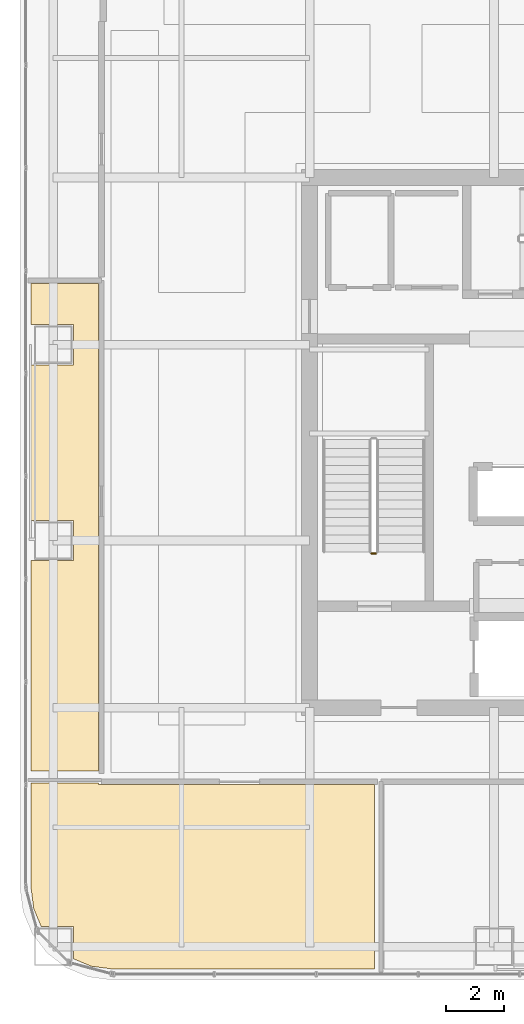
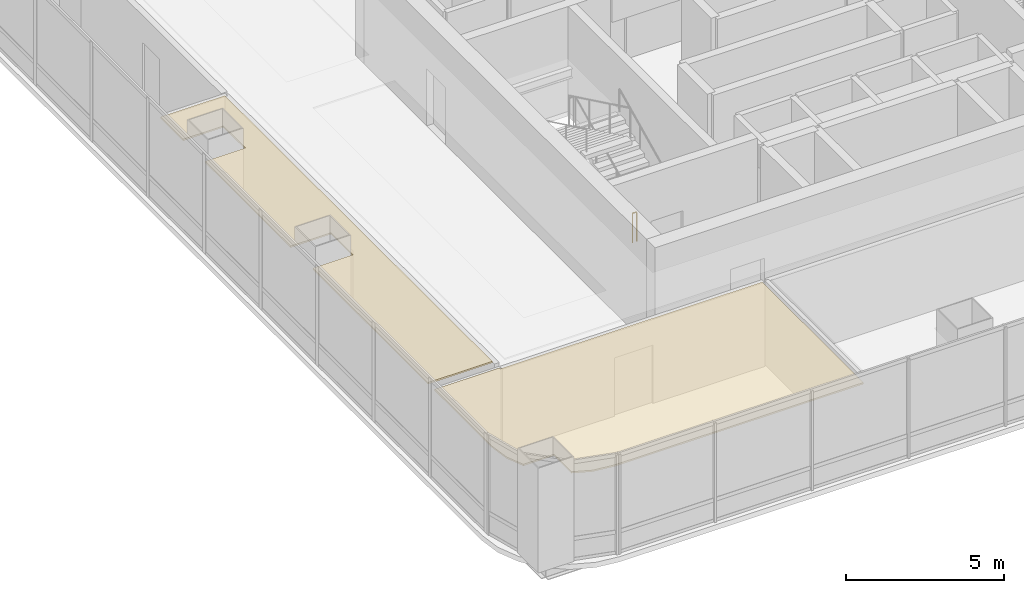
# One storey, part 37 of 42: 2 coverings, 1 railing.
"""IFC4 building model written with IfcOpenShell, lengths in metres."""

import ifcopenshell
import ifcopenshell.guid

model = None  # the IFC model being written
_history = None  # IfcOwnerHistory: only IFC2X3 demands one
_inside = {}  # id of a spatial element -> (the spatial element, [elements in it])
_under = {}  # id of a project, library or spatial element -> (it, [spatial elements below it])
_declared = {}  # id of a project -> (the project, [libraries it declares])
_typed = {}  # id of a type object -> (the type object, [elements of that type])
_made_of = {}  # id of a material, layer set ... -> (it, [elements and type objects made of it])


def new_model(schema):
    """Start an empty IFC model of exactly this schema.

    Asked for "IFC4X3", IfcOpenShell would pick the latest addendum, in which some entities
    have other attributes; the version numbers below select the first issue.
    IFC2X3 requires an IfcOwnerHistory on every rooted entity: one is made here for all.
    """
    global model, _history
    if schema == "IFC4X3":
        model = ifcopenshell.file(schema_version=(4, 3, 0, 0))
    else:
        model = ifcopenshell.file(schema=schema)
    _inside.clear()
    _under.clear()
    _declared.clear()
    _typed.clear()
    _made_of.clear()
    _history = None
    if model.schema == "IFC2X3":
        org = make("IfcOrganization", Name="unknown")
        user = make(
            "IfcPersonAndOrganization",
            ThePerson=make("IfcPerson", FamilyName="unknown"),
            TheOrganization=org,
        )
        app = make(
            "IfcApplication",
            ApplicationDeveloper=org,
            Version="unknown",
            ApplicationFullName="unknown",
            ApplicationIdentifier="unknown",
        )
        _history = make(
            "IfcOwnerHistory",
            OwningUser=user,
            OwningApplication=app,
            ChangeAction="ADDED",
            CreationDate=0,
        )
    return model


def make(cls, **values):
    """One entity of the class cls with the attributes given. An attribute that is None is left unset."""
    return model.create_entity(
        cls, **{name: value for name, value in values.items() if value is not None}
    )


def rooted(cls, **values):
    """An entity with a GlobalId (a new one), such as an element, a storey or a relation."""
    return make(cls, GlobalId=ifcopenshell.guid.new(), OwnerHistory=_history, **values)


def si_unit(unit_type, name, prefix=None):
    """IfcSIUnit, for example si_unit("LENGTHUNIT", "METRE", prefix="MILLI")."""
    return make("IfcSIUnit", UnitType=unit_type, Prefix=prefix, Name=name)


def assignment(units):
    """IfcUnitAssignment: the units of a project."""
    return None if units is None else make("IfcUnitAssignment", Units=units)


def point(xyz):
    """IfcCartesianPoint."""
    return None if xyz is None else make("IfcCartesianPoint", Coordinates=xyz)


def direction(xyz):
    """IfcDirection."""
    return None if xyz is None else make("IfcDirection", DirectionRatios=xyz)


def frame(location, z_axis=None, x_axis=None):
    """IfcAxis2Placement3D, a coordinate frame: its origin and axes. An axis left out is left unset."""
    return make(
        "IfcAxis2Placement3D",
        Location=point(location),
        Axis=direction(z_axis),
        RefDirection=direction(x_axis),
    )


def frame_2d(location, x_axis=None):
    """IfcAxis2Placement2D, a coordinate frame in the plane: its origin and x axis."""
    return make(
        "IfcAxis2Placement2D", Location=point(location), RefDirection=direction(x_axis)
    )


def origin():
    """The frame at (0, 0, 0) with its axes left unset."""
    return frame((0.0, 0.0, 0.0))


def origin_2d():
    """The frame at (0, 0) in the plane with its x axis left unset."""
    return frame_2d((0.0, 0.0))


def place(relative_to, where):
    """IfcLocalPlacement: puts the frame where relative to a parent placement (None: the world)."""
    return make(
        "IfcLocalPlacement", PlacementRelTo=relative_to, RelativePlacement=where
    )


def context(
    kind, dimensions, precision=None, world=None, true_north=None, identifier=None
):
    """IfcGeometricRepresentationContext, for example the 3D "Model" context."""
    return make(
        "IfcGeometricRepresentationContext",
        ContextIdentifier=identifier,
        ContextType=kind,
        CoordinateSpaceDimension=dimensions,
        Precision=precision,
        WorldCoordinateSystem=world,
        TrueNorth=true_north,
    )


def subcontext(parent, identifier, kind, view, scale=None):
    """IfcGeometricRepresentationSubContext, for example "Body" below "Model"."""
    return make(
        "IfcGeometricRepresentationSubContext",
        ContextIdentifier=identifier,
        ContextType=kind,
        ParentContext=parent,
        TargetScale=scale,
        TargetView=view,
    )


def project(units=None, contexts=None):
    """IfcProject with its units and contexts."""
    return rooted(
        "IfcProject",
        Name="project",
        RepresentationContexts=contexts,
        UnitsInContext=assignment(units),
    )


def spatial(cls, under=None, at=None, **own):
    """A site, building, storey or space (cls), placed at a placement, below another one or the project."""
    s = rooted(cls, ObjectPlacement=at, **own)
    if under is not None:
        _under.setdefault(under.id(), (under, []))[1].append(s)
    return s


def polyline(points):
    """IfcPolyline through the points."""
    return make("IfcPolyline", Points=[point(p) for p in points])


def profile(cls, at=None, kind="AREA", **sizes):
    """A parametric profile (cls). Its sizes go by their IFC names, for example OverallWidth=200.0."""
    return make(cls, ProfileType=kind, Position=at, **sizes)


def circle(**sizes):
    """IfcCircleProfileDef."""
    return profile("IfcCircleProfileDef", **sizes)


def outline(outer, holes=None, kind="AREA"):
    """IfcArbitraryClosedProfileDef: a profile drawn as a closed curve; with holes, ...WithVoids."""
    if holes is None:
        return make("IfcArbitraryClosedProfileDef", ProfileType=kind, OuterCurve=outer)
    return make(
        "IfcArbitraryProfileDefWithVoids",
        ProfileType=kind,
        OuterCurve=outer,
        InnerCurves=holes,
    )


def extrude(swept, where, along, depth):
    """IfcExtrudedAreaSolid: the profile swept, set in the frame where, extruded along a direction by depth."""
    return make(
        "IfcExtrudedAreaSolid",
        SweptArea=swept,
        Position=where,
        ExtrudedDirection=direction(along),
        Depth=depth,
    )


def shape(context_of_items, identifier, shape_type, items):
    """IfcShapeRepresentation: the items that make up one representation, for example the "Body"."""
    return make(
        "IfcShapeRepresentation",
        ContextOfItems=context_of_items,
        RepresentationIdentifier=identifier,
        RepresentationType=shape_type,
        Items=items,
    )


def material(Name=None, Category=None):
    """IfcMaterial."""
    return make("IfcMaterial", Name=Name, Category=Category)


def layer(
    of_material, thickness, ventilated=None, Name=None, Category=None, Priority=None
):
    """IfcMaterialLayer: one layer of a wall or slab, of a material (None: an air gap)."""
    return make(
        "IfcMaterialLayer",
        Material=of_material,
        LayerThickness=thickness,
        IsVentilated=ventilated,
        Name=Name,
        Category=Category,
        Priority=Priority,
    )


def layer_set(layers, Name=None):
    """IfcMaterialLayerSet."""
    return make("IfcMaterialLayerSet", MaterialLayers=layers, LayerSetName=Name)


def made_of(thing, what):
    """Note that an element or type object is made of a material, layer set ...; save() writes the relation."""
    if what is not None:
        _made_of.setdefault(what.id(), (what, []))[1].append(thing)
    return thing


def type_object(cls, material=None, **own):
    """A type object (cls), such as IfcWallType, which elements share."""
    return made_of(rooted(cls, **own), material)


def element(
    cls,
    number,
    at=None,
    inside=None,
    cuts=None,
    type_object=None,
    material=None,
    context=None,
    identifier="Body",
    shape_type=None,
    held_by="IfcProductDefinitionShape",
    body=None,
    shapes=None,
    **own,
):
    """One element of the class cls, such as IfcWall. Its Tag is "e" and its number.

    at: its placement. inside: the storey or other place that contains it. cuts: it is an
    opening in that element (IfcRelVoidsElement). A single representation is given by context,
    identifier, shape_type and body (its items); several are given by shapes. held_by: the class
    of the entity that holds the representations. save() writes the other relations.
    """
    e = rooted(cls, Tag="e%d" % number, ObjectPlacement=at, **own)
    if body is not None:
        shapes = [shape(context, identifier, shape_type, body)]
    if shapes is not None:
        e.Representation = make(held_by, Representations=shapes)
    if inside is not None:
        _inside.setdefault(inside.id(), (inside, []))[1].append(e)
    if cuts is not None:
        rooted(
            "IfcRelVoidsElement", RelatingBuildingElement=cuts, RelatedOpeningElement=e
        )
    if type_object is not None:
        _typed.setdefault(type_object.id(), (type_object, []))[1].append(e)
    return made_of(e, material)


def aggregate(whole, parts):
    """IfcRelAggregates: a whole, such as a stair, and the parts it consists of."""
    return rooted("IfcRelAggregates", RelatingObject=whole, RelatedObjects=parts)


def save(model, path):
    """Write the relations noted so far, then the file.

    IfcRelAggregates (storeys below a building ...), IfcRelContainedInSpatialStructure (elements
    in a storey), IfcRelDefinesByType, IfcRelAssociatesMaterial and IfcRelDeclares: one each for
    every whole, place, type object, material and project.
    """
    for whole, parts in _under.values():
        aggregate(whole, parts)
    for where, things in _inside.values():
        rooted(
            "IfcRelContainedInSpatialStructure",
            RelatedElements=things,
            RelatingStructure=where,
        )
    for kind, things in _typed.values():
        rooted("IfcRelDefinesByType", RelatedObjects=things, RelatingType=kind)
    for what, things in _made_of.values():
        rooted("IfcRelAssociatesMaterial", RelatedObjects=things, RelatingMaterial=what)
    for by, libraries in _declared.values():
        rooted("IfcRelDeclares", RelatingContext=by, RelatedDefinitions=libraries)
    model.write(path)


model = new_model("IFC4")

# Units and contexts
model_context = context("Model", 3, precision=1e-05, world=origin(), true_north=direction((0.0, 1.0)))
body_context = subcontext(model_context, "Body", "Model", "MODEL_VIEW")
ifc_project = project(units=[si_unit("LENGTHUNIT", "METRE"), si_unit("AREAUNIT", "SQUARE_METRE"), si_unit("VOLUMEUNIT", "CUBIC_METRE"), si_unit("PLANEANGLEUNIT", "RADIAN"), si_unit("MASSUNIT", "GRAM", prefix="KILO")], contexts=[model_context])

# Site, building, storey
site_placement = place(None, origin())
site = spatial("IfcSite", under=ifc_project, at=site_placement, CompositionType="ELEMENT")
building_placement = place(site_placement, origin())
building = spatial("IfcBuilding", under=site, at=building_placement, Name="Punatoya Terracotta Tower", CompositionType="ELEMENT")
storey_placement = place(building_placement, frame((0.0, 0.0, 255.449951171875)))
storey = spatial("IfcBuildingStorey", under=building, at=storey_placement, Name="L60", CompositionType="ELEMENT", Elevation=255.449951171875)

# Coverings
ifc_material_1 = material(Name="Acoustic Mineral Fibre Ceiling")
ifc_layer = layer(ifc_material_1, 0.06005859375)
ifc_layer_set = layer_set([ifc_layer], Name="Acoustic Mineral Fibre Ceiling")
covering_type = type_object("IfcCoveringType", Name="COV-CEIL-60", PredefinedType="CEILING", material=ifc_layer_set)
covering_1_placement = place(storey_placement, frame((0.0, 0.0, 3.239990234375)))
element("IfcCovering", 1, at=covering_1_placement, inside=storey, type_object=covering_type, Name="L60 Open-Plan Media Broadcast Studio Acoustic Ceiling", PredefinedType="CEILING", context=body_context, shape_type="SweptSolid", body=[
    extrude(outline(polyline([(-17.52001953125, -11.8701171875), (-17.52001953125, -11.81005859375), (-19.8701171875, -11.81005859375), (-19.8701171875, -15.425048828125), (-19.770751953125, -16.178955078125), (-19.513427734375, -16.800048828125), (-18.39990234375, -16.800048828125), (-18.39990234375, -17.91357421875), (-17.779052734375, -18.1708984375), (-17.025146484375, -18.27001953125), (-7.946044921875, -18.27001953125), (-7.946044921875, -11.8701171875), (-17.52001953125, -11.8701171875)])), origin(), (0.0, 0.0, 1.0), 0.06005859375),
])
covering_2_placement = place(storey_placement, frame((0.0, 0.0, 3.239990234375)))
element("IfcCovering", 2, at=covering_2_placement, inside=storey, type_object=covering_type, Name="L60 Open-Plan Hospitality Tea Pantry Acoustic Ceiling", PredefinedType="CEILING", context=body_context, shape_type="SweptSolid", body=[
    extrude(outline(polyline([(-19.8701171875, -4.10009765625), (-19.8701171875, -11.389892578125), (-17.52001953125, -11.389892578125), (-17.52001953125, 5.52587890625), (-19.8701171875, 5.52587890625), (-19.8701171875, 4.10009765625), (-18.39990234375, 4.10009765625), (-18.39990234375, 2.699951171875), (-19.8701171875, 2.699951171875), (-19.8701171875, -2.699951171875), (-18.39990234375, -2.699951171875), (-18.39990234375, -4.10009765625), (-19.8701171875, -4.10009765625)])), origin(), (0.0, 0.0, 1.0), 0.06005859375),
])

# Railing
ifc_material_2 = material(Name="Steel S355", Category="steel")
railing_type = type_object("IfcRailingType", Name="RLG-GRD-1150", PredefinedType="GUARDRAIL", material=ifc_material_2)
railing_placement = place(storey_placement, frame((-7.89990234375, -3.85009765625, 0.0)))
element("IfcRailing", 3, at=railing_placement, inside=storey, type_object=railing_type, Name="L60 ST-1 stair guard 4", PredefinedType="GUARDRAIL", context=body_context, shape_type="SweptSolid", body=[
    extrude(circle(Radius=0.02392578125, at=origin_2d()), frame((0.0, 0.0, 1.1259765625), z_axis=(-1.0, 0.0, 0.0), x_axis=(0.0, -1.0, 0.0)), (0.0, 0.0, 1.0), 0.150146484375),
    extrude(circle(Radius=0.02099609375, at=origin_2d()), origin(), (0.0, 0.0, 1.0), 1.101806640625),
    extrude(circle(Radius=0.02099609375, at=origin_2d()), frame((-0.150146484375, 0.0, 0.0)), (0.0, 0.0, 1.0), 1.101806640625),
])

save(model, "model.ifc")
